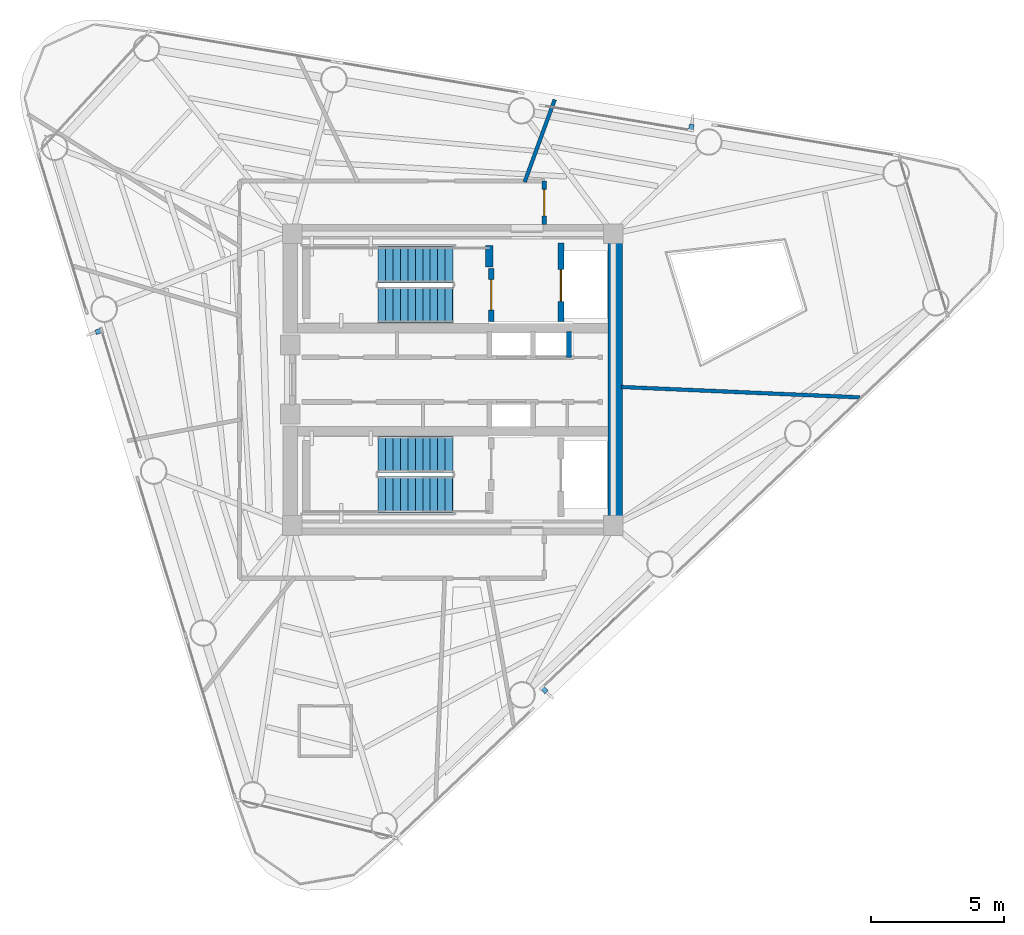
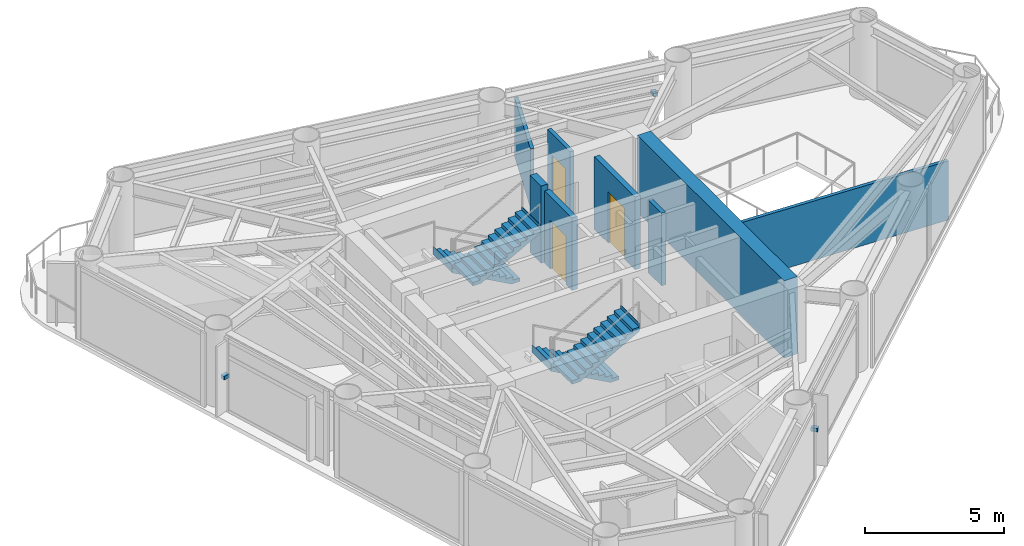
# One storey, part 6 of 9: 8 walls, 4 stair flights, 3 discrete accessories, 3 doors, 3 openings, 2 elements without a shape of their own.
"""IFC4 building model written with IfcOpenShell, lengths in metres."""

import ifcopenshell
import ifcopenshell.guid

model = None  # the IFC model being written
_history = None  # IfcOwnerHistory: only IFC2X3 demands one
_inside = {}  # id of a spatial element -> (the spatial element, [elements in it])
_under = {}  # id of a project, library or spatial element -> (it, [spatial elements below it])
_declared = {}  # id of a project -> (the project, [libraries it declares])
_typed = {}  # id of a type object -> (the type object, [elements of that type])
_made_of = {}  # id of a material, layer set ... -> (it, [elements and type objects made of it])


def new_model(schema):
    """Start an empty IFC model of exactly this schema.

    Asked for "IFC4X3", IfcOpenShell would pick the latest addendum, in which some entities
    have other attributes; the version numbers below select the first issue.
    IFC2X3 requires an IfcOwnerHistory on every rooted entity: one is made here for all.
    """
    global model, _history
    if schema == "IFC4X3":
        model = ifcopenshell.file(schema_version=(4, 3, 0, 0))
    else:
        model = ifcopenshell.file(schema=schema)
    _inside.clear()
    _under.clear()
    _declared.clear()
    _typed.clear()
    _made_of.clear()
    _history = None
    if model.schema == "IFC2X3":
        org = make("IfcOrganization", Name="unknown")
        user = make(
            "IfcPersonAndOrganization",
            ThePerson=make("IfcPerson", FamilyName="unknown"),
            TheOrganization=org,
        )
        app = make(
            "IfcApplication",
            ApplicationDeveloper=org,
            Version="unknown",
            ApplicationFullName="unknown",
            ApplicationIdentifier="unknown",
        )
        _history = make(
            "IfcOwnerHistory",
            OwningUser=user,
            OwningApplication=app,
            ChangeAction="ADDED",
            CreationDate=0,
        )
    return model


def make(cls, **values):
    """One entity of the class cls with the attributes given. An attribute that is None is left unset."""
    return model.create_entity(
        cls, **{name: value for name, value in values.items() if value is not None}
    )


def rooted(cls, **values):
    """An entity with a GlobalId (a new one), such as an element, a storey or a relation."""
    return make(cls, GlobalId=ifcopenshell.guid.new(), OwnerHistory=_history, **values)


def si_unit(unit_type, name, prefix=None):
    """IfcSIUnit, for example si_unit("LENGTHUNIT", "METRE", prefix="MILLI")."""
    return make("IfcSIUnit", UnitType=unit_type, Prefix=prefix, Name=name)


def assignment(units):
    """IfcUnitAssignment: the units of a project."""
    return None if units is None else make("IfcUnitAssignment", Units=units)


def point(xyz):
    """IfcCartesianPoint."""
    return None if xyz is None else make("IfcCartesianPoint", Coordinates=xyz)


def direction(xyz):
    """IfcDirection."""
    return None if xyz is None else make("IfcDirection", DirectionRatios=xyz)


def frame(location, z_axis=None, x_axis=None):
    """IfcAxis2Placement3D, a coordinate frame: its origin and axes. An axis left out is left unset."""
    return make(
        "IfcAxis2Placement3D",
        Location=point(location),
        Axis=direction(z_axis),
        RefDirection=direction(x_axis),
    )


def frame_2d(location, x_axis=None):
    """IfcAxis2Placement2D, a coordinate frame in the plane: its origin and x axis."""
    return make(
        "IfcAxis2Placement2D", Location=point(location), RefDirection=direction(x_axis)
    )


def origin():
    """The frame at (0, 0, 0) with its axes left unset."""
    return frame((0.0, 0.0, 0.0))


def origin_2d():
    """The frame at (0, 0) in the plane with its x axis left unset."""
    return frame_2d((0.0, 0.0))


def place(relative_to, where):
    """IfcLocalPlacement: puts the frame where relative to a parent placement (None: the world)."""
    return make(
        "IfcLocalPlacement", PlacementRelTo=relative_to, RelativePlacement=where
    )


def context(
    kind, dimensions, precision=None, world=None, true_north=None, identifier=None
):
    """IfcGeometricRepresentationContext, for example the 3D "Model" context."""
    return make(
        "IfcGeometricRepresentationContext",
        ContextIdentifier=identifier,
        ContextType=kind,
        CoordinateSpaceDimension=dimensions,
        Precision=precision,
        WorldCoordinateSystem=world,
        TrueNorth=true_north,
    )


def subcontext(parent, identifier, kind, view, scale=None):
    """IfcGeometricRepresentationSubContext, for example "Body" below "Model"."""
    return make(
        "IfcGeometricRepresentationSubContext",
        ContextIdentifier=identifier,
        ContextType=kind,
        ParentContext=parent,
        TargetScale=scale,
        TargetView=view,
    )


def project(units=None, contexts=None):
    """IfcProject with its units and contexts."""
    return rooted(
        "IfcProject",
        Name="project",
        RepresentationContexts=contexts,
        UnitsInContext=assignment(units),
    )


def spatial(cls, under=None, at=None, **own):
    """A site, building, storey or space (cls), placed at a placement, below another one or the project."""
    s = rooted(cls, ObjectPlacement=at, **own)
    if under is not None:
        _under.setdefault(under.id(), (under, []))[1].append(s)
    return s


def polyline(points):
    """IfcPolyline through the points."""
    return make("IfcPolyline", Points=[point(p) for p in points])


def profile(cls, at=None, kind="AREA", **sizes):
    """A parametric profile (cls). Its sizes go by their IFC names, for example OverallWidth=200.0."""
    return make(cls, ProfileType=kind, Position=at, **sizes)


def rectangle(**sizes):
    """IfcRectangleProfileDef."""
    return profile("IfcRectangleProfileDef", **sizes)


def outline(outer, holes=None, kind="AREA"):
    """IfcArbitraryClosedProfileDef: a profile drawn as a closed curve; with holes, ...WithVoids."""
    if holes is None:
        return make("IfcArbitraryClosedProfileDef", ProfileType=kind, OuterCurve=outer)
    return make(
        "IfcArbitraryProfileDefWithVoids",
        ProfileType=kind,
        OuterCurve=outer,
        InnerCurves=holes,
    )


def extrude(swept, where, along, depth):
    """IfcExtrudedAreaSolid: the profile swept, set in the frame where, extruded along a direction by depth."""
    return make(
        "IfcExtrudedAreaSolid",
        SweptArea=swept,
        Position=where,
        ExtrudedDirection=direction(along),
        Depth=depth,
    )


def shape(context_of_items, identifier, shape_type, items):
    """IfcShapeRepresentation: the items that make up one representation, for example the "Body"."""
    return make(
        "IfcShapeRepresentation",
        ContextOfItems=context_of_items,
        RepresentationIdentifier=identifier,
        RepresentationType=shape_type,
        Items=items,
    )


def source(mapping_origin, context_of_items, identifier, shape_type, items):
    """IfcRepresentationMap: a shape defined once, which mapped items show again and again."""
    return make(
        "IfcRepresentationMap",
        MappingOrigin=mapping_origin,
        MappedRepresentation=shape(context_of_items, identifier, shape_type, items),
    )


def transform(
    local_origin,
    x_axis=None,
    y_axis=None,
    z_axis=None,
    scale=None,
    scale2=None,
    scale3=None,
    uniform=True,
):
    """IfcCartesianTransformationOperator3D, or its non-uniform kind. x_axis, y_axis, z_axis: its Axis1, 2, 3."""
    if uniform:
        return make(
            "IfcCartesianTransformationOperator3D",
            Axis1=direction(x_axis),
            Axis2=direction(y_axis),
            LocalOrigin=point(local_origin),
            Scale=scale,
            Axis3=direction(z_axis),
        )
    return make(
        "IfcCartesianTransformationOperator3DnonUniform",
        Axis1=direction(x_axis),
        Axis2=direction(y_axis),
        LocalOrigin=point(local_origin),
        Scale=scale,
        Axis3=direction(z_axis),
        Scale2=scale2,
        Scale3=scale3,
    )


def mapped(mapping_source, mapping_target):
    """IfcMappedItem: shows the shape of a source again, moved by a transform."""
    return make(
        "IfcMappedItem", MappingSource=mapping_source, MappingTarget=mapping_target
    )


def material(Name=None, Category=None):
    """IfcMaterial."""
    return make("IfcMaterial", Name=Name, Category=Category)


def layer(
    of_material, thickness, ventilated=None, Name=None, Category=None, Priority=None
):
    """IfcMaterialLayer: one layer of a wall or slab, of a material (None: an air gap)."""
    return make(
        "IfcMaterialLayer",
        Material=of_material,
        LayerThickness=thickness,
        IsVentilated=ventilated,
        Name=Name,
        Category=Category,
        Priority=Priority,
    )


def layer_set(layers, Name=None):
    """IfcMaterialLayerSet."""
    return make("IfcMaterialLayerSet", MaterialLayers=layers, LayerSetName=Name)


def made_of(thing, what):
    """Note that an element or type object is made of a material, layer set ...; save() writes the relation."""
    if what is not None:
        _made_of.setdefault(what.id(), (what, []))[1].append(thing)
    return thing


def type_object(cls, material=None, **own):
    """A type object (cls), such as IfcWallType, which elements share."""
    return made_of(rooted(cls, **own), material)


def element(
    cls,
    number,
    at=None,
    inside=None,
    cuts=None,
    type_object=None,
    material=None,
    context=None,
    identifier="Body",
    shape_type=None,
    held_by="IfcProductDefinitionShape",
    body=None,
    shapes=None,
    **own,
):
    """One element of the class cls, such as IfcWall. Its Tag is "e" and its number.

    at: its placement. inside: the storey or other place that contains it. cuts: it is an
    opening in that element (IfcRelVoidsElement). A single representation is given by context,
    identifier, shape_type and body (its items); several are given by shapes. held_by: the class
    of the entity that holds the representations. save() writes the other relations.
    """
    e = rooted(cls, Tag="e%d" % number, ObjectPlacement=at, **own)
    if body is not None:
        shapes = [shape(context, identifier, shape_type, body)]
    if shapes is not None:
        e.Representation = make(held_by, Representations=shapes)
    if inside is not None:
        _inside.setdefault(inside.id(), (inside, []))[1].append(e)
    if cuts is not None:
        rooted(
            "IfcRelVoidsElement", RelatingBuildingElement=cuts, RelatedOpeningElement=e
        )
    if type_object is not None:
        _typed.setdefault(type_object.id(), (type_object, []))[1].append(e)
    return made_of(e, material)


def fill(opening, filler):
    """IfcRelFillsElement: the door or window that sits in an opening."""
    return rooted(
        "IfcRelFillsElement",
        RelatingOpeningElement=opening,
        RelatedBuildingElement=filler,
    )


def aggregate(whole, parts):
    """IfcRelAggregates: a whole, such as a stair, and the parts it consists of."""
    return rooted("IfcRelAggregates", RelatingObject=whole, RelatedObjects=parts)


def save(model, path):
    """Write the relations noted so far, then the file.

    IfcRelAggregates (storeys below a building ...), IfcRelContainedInSpatialStructure (elements
    in a storey), IfcRelDefinesByType, IfcRelAssociatesMaterial and IfcRelDeclares: one each for
    every whole, place, type object, material and project.
    """
    for whole, parts in _under.values():
        aggregate(whole, parts)
    for where, things in _inside.values():
        rooted(
            "IfcRelContainedInSpatialStructure",
            RelatedElements=things,
            RelatingStructure=where,
        )
    for kind, things in _typed.values():
        rooted("IfcRelDefinesByType", RelatedObjects=things, RelatingType=kind)
    for what, things in _made_of.values():
        rooted("IfcRelAssociatesMaterial", RelatedObjects=things, RelatingMaterial=what)
    for by, libraries in _declared.values():
        rooted("IfcRelDeclares", RelatingContext=by, RelatedDefinitions=libraries)
    model.write(path)


model = new_model("IFC4")

# Units and contexts
model_context = context("Model", 3, precision=1e-05, world=origin(), true_north=direction((0.0, 1.0)))
body_context = subcontext(model_context, "Body", "Model", "MODEL_VIEW")
ifc_project = project(units=[si_unit("LENGTHUNIT", "METRE"), si_unit("AREAUNIT", "SQUARE_METRE"), si_unit("VOLUMEUNIT", "CUBIC_METRE"), si_unit("PLANEANGLEUNIT", "RADIAN"), si_unit("MASSUNIT", "GRAM", prefix="KILO")], contexts=[model_context])

# Site, building, storey
site_placement = place(None, origin())
site = spatial("IfcSite", under=ifc_project, at=site_placement, CompositionType="ELEMENT")
building_placement = place(site_placement, origin())
building = spatial("IfcBuilding", under=site, at=building_placement, Name="Yunling Apex Tower", CompositionType="ELEMENT")
storey_placement = place(building_placement, frame((0.0, 0.0, 245.64990234375)))
storey = spatial("IfcBuildingStorey", under=building, at=storey_placement, Name="L60", CompositionType="ELEMENT", Elevation=245.64990234375)

# Walls
ifc_material_1 = material(Name="Concrete C40", Category="concrete")
ifc_layer_1 = layer(ifc_material_1, 0.550048828125)
ifc_layer_set_1 = layer_set([ifc_layer_1], Name="Concrete C40")
wall_type_1 = type_object("IfcWallType", Name="WL-COR-3", PredefinedType="SHEAR", material=ifc_layer_set_1)
wall_1_placement = place(storey_placement, frame((6.125, -5.300048828125, 0.0), z_axis=(0.0, 0.0, 1.0), x_axis=(0.0, 1.0, 0.0)))
element("IfcWall", 1, at=wall_1_placement, inside=storey, type_object=wall_type_1, Name="L60 East Core Shear Wall", PredefinedType="SHEAR", context=body_context, shape_type="SweptSolid", body=[
    extrude(rectangle(XDim=10.60009765625, YDim=0.550048828125, at=frame_2d((5.300048828125, 0.0))), origin(), (0.0, 0.0, 1.0), 3.400146484375),
])
ifc_layer_2 = layer(ifc_material_1, 0.280029296875)
ifc_layer_set_2 = layer_set([ifc_layer_2], Name="Concrete C40")
wall_type_2 = type_object("IfcWallType", Name="WL-COR-8", PredefinedType="SHEAR", material=ifc_layer_set_2)
wall_2_placement = place(storey_placement, frame((1.3798828125, 4.25, 0.0), z_axis=(0.0, 0.0, 1.0), x_axis=(0.0, 1.0, 0.0)))
element("IfcWall", 2, at=wall_2_placement, inside=storey, type_object=wall_type_2, Name="L60 ST-1 East Landing Bearing Pier", PredefinedType="SHEAR", context=body_context, shape_type="SweptSolid", body=[
    extrude(rectangle(XDim=0.800048828125, YDim=0.280029296875, at=frame_2d((0.39990234375, 0.0))), origin(), (0.0, 0.0, 1.0), 3.400146484375),
])

# Wall, opening, door
ifc_material_2 = material(Name="Gypsum board acoustic partition")
ifc_layer_3 = layer(ifc_material_2, 0.159912109375)
ifc_layer_set_3 = layer_set([ifc_layer_3], Name="Gypsum board acoustic partition")
wall_type_3 = type_object("IfcWallType", Name="WL-PRT-1", PredefinedType="PARTITIONING", material=ifc_layer_set_3)
wall_3_placement = place(storey_placement, frame((3.449951171875, 7.489990234375, 0.0), z_axis=(0.0, 0.0, 1.0), x_axis=(0.0, -1.0, 0.0)))
wall_3 = element("IfcWall", 3, at=wall_3_placement, inside=storey, type_object=wall_type_3, Name="WL-CORR-L60-04", PredefinedType="PARTITIONING", context=body_context, shape_type="SweptSolid", body=[
    extrude(rectangle(XDim=1.639892578125, YDim=0.159912109375, at=frame_2d((0.81982421875, 0.0))), origin(), (0.0, 0.0, 1.0), 3.2001953125),
])
opening_1_placement = place(wall_3_placement, frame((0.320068359375, 0.0, 0.0)))
opening_1 = element("IfcOpeningElement", 4, at=opening_1_placement, cuts=wall_3, Name="Opening DR-OFF-1", PredefinedType="OPENING", context=body_context, shape_type="SweptSolid", body=[
    extrude(rectangle(XDim=1.0, YDim=2.25, at=frame_2d((0.5, 1.125))), frame((0.0, 0.08984375, 0.0), z_axis=(0.0, -1.0, 0.0), x_axis=(1.0, 0.0, 0.0)), (0.0, 0.0, 1.0), 0.179931640625),
])
ifc_material_3 = material(Name="Bronze anodised aluminium", Category="aluminium")
door_type_1 = type_object("IfcDoorType", Name="DR-OFF-1", OperationType="NOTDEFINED", PredefinedType="DOOR", material=ifc_material_3)
door_1_placement = place(opening_1_placement, origin())
door_1 = element("IfcDoor", 5, at=door_1_placement, inside=storey, type_object=door_type_1, Name="L60 Residents Quiet Study Lounge Door", OperationType="SINGLE_SWING_LEFT", OverallHeight=2.25, OverallWidth=1.0, PredefinedType="DOOR", context=body_context, shape_type="SweptSolid", body=[
    extrude(rectangle(XDim=1.0, YDim=2.25, at=frame_2d((0.5, 1.125))), frame((0.0, 0.02490234375, 0.0), z_axis=(0.0, -1.0, 0.0), x_axis=(1.0, 0.0, 0.0)), (0.0, 0.0, 1.0), 0.050048828125),
])
fill(opening_1, door_1)

# Walls
ifc_layer_4 = layer(ifc_material_2, 0.139892578125)
ifc_layer_set_4 = layer_set([ifc_layer_4], Name="Gypsum board acoustic partition")
wall_type_4 = type_object("IfcWallType", Name="WL-PRT-2", PredefinedType="PARTITIONING", material=ifc_layer_set_4)
wall_4_placement = place(storey_placement, frame((6.360107421875, -0.277587890625, 0.0), z_axis=(0.0, 0.0, 1.0), x_axis=(0.99904773846, -0.043630451279, 0.0)))
element("IfcWall", 6, at=wall_4_placement, inside=storey, type_object=wall_type_4, Name="WL-RAD-L60-01", PredefinedType="PARTITIONING", context=body_context, shape_type="SweptSolid", body=[
    extrude(rectangle(XDim=8.9921875, YDim=0.139892578125, at=frame_2d((4.49609375, 0.0))), origin(), (0.0, 0.0, 1.0), 2.60498046875),
])
wall_5_placement = place(storey_placement, frame((2.711669921875, 7.449951171875, 0.0), z_axis=(0.0, 0.0, 1.0), x_axis=(0.341974588874, 0.9397092, 0.0)))
element("IfcWall", 7, at=wall_5_placement, inside=storey, type_object=wall_type_4, Name="WL-RAD-L60-02", PredefinedType="PARTITIONING", context=body_context, shape_type="SweptSolid", body=[
    extrude(rectangle(XDim=3.3017578125, YDim=0.139892578125, at=frame_2d((1.65087890625, 0.0))), origin(), (0.0, 0.0, 1.0), 2.60498046875),
])

# Wall, opening, door
ifc_material_4 = material(Name="Autoclaved aerated concrete masonry", Category="masonry")
ifc_layer_5 = layer(ifc_material_4, 0.219970703125)
ifc_layer_set_5 = layer_set([ifc_layer_5], Name="Autoclaved aerated concrete masonry")
wall_type_5 = type_object("IfcWallType", Name="WL-SHF-1", PredefinedType="PLUMBINGWALL", material=ifc_layer_set_5)
wall_6_placement = place(storey_placement, frame((1.449951171875, 2.199951171875, 0.0), z_axis=(0.0, 0.0, 1.0), x_axis=(0.0, 1.0, 0.0)))
wall_6 = element("IfcWall", 8, at=wall_6_placement, inside=storey, type_object=wall_type_5, Name="WL-ST1-E-L60", PredefinedType="PLUMBINGWALL", context=body_context, shape_type="SweptSolid", body=[
    extrude(rectangle(XDim=1.97998046875, YDim=0.219970703125, at=frame_2d((0.989990234375, 0.0))), origin(), (0.0, 0.0, 1.0), 3.2001953125),
])
opening_2_placement = place(wall_6_placement, frame((0.419921875, 0.0, 0.0)))
opening_2 = element("IfcOpeningElement", 9, at=opening_2_placement, cuts=wall_6, Name="Opening DR-ST-1", PredefinedType="OPENING", context=body_context, shape_type="SweptSolid", body=[
    extrude(rectangle(XDim=1.14990234375, YDim=2.14990234375, at=frame_2d((0.574951171875, 1.074951171875))), frame((0.0, 0.1201171875, 0.0), z_axis=(0.0, -1.0, 0.0), x_axis=(1.0, 0.0, 0.0)), (0.0, 0.0, 1.0), 0.239990234375),
])
ifc_material_5 = material(Name="Steel Q355B", Category="steel")
door_type_2 = type_object("IfcDoorType", Name="DR-ST-1", OperationType="NOTDEFINED", PredefinedType="DOOR", material=ifc_material_5)
door_2_placement = place(opening_2_placement, origin())
door_2 = element("IfcDoor", 10, at=door_2_placement, inside=storey, type_object=door_type_2, Name="L60 Stair ST-1 Fire Door", OperationType="SINGLE_SWING_LEFT", OverallHeight=2.14990234375, OverallWidth=1.14990234375, PredefinedType="DOOR", context=body_context, shape_type="SweptSolid", body=[
    extrude(rectangle(XDim=1.14990234375, YDim=2.14990234375, at=frame_2d((0.574951171875, 1.074951171875))), frame((0.0, 0.02490234375, 0.0), z_axis=(0.0, -1.0, 0.0), x_axis=(1.0, 0.0, 0.0)), (0.0, 0.0, 1.0), 0.050048828125),
])
fill(opening_2, door_2)

wall_7_placement = place(storey_placement, frame((4.080078125, 2.199951171875, 0.0), z_axis=(0.0, 0.0, 1.0), x_axis=(0.0, 1.0, 0.0)))
wall_7 = element("IfcWall", 11, at=wall_7_placement, inside=storey, type_object=wall_type_5, Name="WL-FFL1-W-L60", PredefinedType="PLUMBINGWALL", context=body_context, shape_type="SweptSolid", body=[
    extrude(rectangle(XDim=2.949951171875, YDim=0.219970703125, at=frame_2d((1.47509765625, 0.0))), origin(), (0.0, 0.0, 1.0), 3.2001953125),
])
opening_3_placement = place(wall_7_placement, frame((0.75, 0.0, 0.0)))
opening_3 = element("IfcOpeningElement", 12, at=opening_3_placement, cuts=wall_7, Name="Opening LD-FFL-1", PredefinedType="OPENING", context=body_context, shape_type="SweptSolid", body=[
    extrude(rectangle(XDim=1.199951171875, YDim=2.25, at=frame_2d((0.60009765625, 1.125))), frame((0.0, 0.1201171875, 0.0), z_axis=(0.0, -1.0, 0.0), x_axis=(1.0, 0.0, 0.0)), (0.0, 0.0, 1.0), 0.239990234375),
])
door_type_3 = type_object("IfcDoorType", Name="LD-FFL-1", OperationType="DOUBLE_DOOR_SLIDING", PredefinedType="DOOR", material=ifc_material_5)
door_3_placement = place(opening_3_placement, origin())
door_3 = element("IfcDoor", 13, at=door_3_placement, inside=storey, type_object=door_type_3, Name="L60 Lift FFL-1 Landing Door", OperationType="DOUBLE_DOOR_SLIDING", OverallHeight=2.25, OverallWidth=1.199951171875, PredefinedType="DOOR", context=body_context, shape_type="SweptSolid", body=[
    extrude(rectangle(XDim=1.199951171875, YDim=2.25, at=frame_2d((0.60009765625, 1.125))), frame((0.0, 0.02490234375, 0.0), z_axis=(0.0, -1.0, 0.0), x_axis=(1.0, 0.0, 0.0)), (0.0, 0.0, 1.0), 0.050048828125),
])
fill(opening_3, door_3)

# Wall
ifc_layer_6 = layer(ifc_material_4, 0.179931640625)
ifc_layer_set_6 = layer_set([ifc_layer_6], Name="Autoclaved aerated concrete masonry")
wall_type_6 = type_object("IfcWallType", Name="WL-SHF-2", PredefinedType="PLUMBINGWALL", material=ifc_layer_set_6)
wall_8_placement = place(storey_placement, frame((4.3798828125, 0.840087890625, 0.0), z_axis=(0.0, 0.0, 1.0), x_axis=(0.0, 1.0, 0.0)))
element("IfcWall", 14, at=wall_8_placement, inside=storey, type_object=wall_type_6, Name="WL-END-H3E-L60", PredefinedType="PLUMBINGWALL", context=body_context, shape_type="SweptSolid", body=[
    extrude(rectangle(XDim=0.97998046875, YDim=0.179931640625, at=frame_2d((0.489990234375, 0.0))), origin(), (0.0, 0.0, 1.0), 3.2001953125),
])

# Stair, stair flights
stair_type = type_object("IfcStairType", Name="ST-TWR-3", PredefinedType="HALF_TURN_STAIR", material=ifc_material_1)
stair_1_placement = place(storey_placement, origin())
stair_1 = element("IfcStair", 15, at=stair_1_placement, inside=storey, type_object=stair_type, Name="L60 North Core Smokeproof Exit Stair ST-1", PredefinedType="HALF_TURN_STAIR")
stair_flight_type = type_object("IfcStairFlightType", Name="SFL-TWR-3", PredefinedType="STRAIGHT", material=ifc_material_1)
stair_flight_1_placement = place(storey_placement, frame((-0.010009765625, 4.330078125, 0.0), z_axis=(0.0, 0.0, 1.0), x_axis=(-1.0, 0.0, 0.0)))
stair_flight_1 = element("IfcStairFlight", 16, at=stair_flight_1_placement, type_object=stair_flight_type, Name="ST-1 flight 1", NumberOfRisers=11, NumberOfTreads=10, PredefinedType="STRAIGHT", RiserHeight=0.154545455, TreadLength=0.28, context=body_context, shape_type="SweptSolid", body=[
    extrude(outline(polyline([(-0.011962890625, 0.0), (-0.011962890625, 0.154541015625), (0.0, 0.154541015625), (0.280029296875, 0.154541015625), (0.280029296875, 0.30908203125), (0.56005859375, 0.30908203125), (0.56005859375, 0.463623046875), (0.840087890625, 0.463623046875), (0.840087890625, 0.6181640625), (1.1201171875, 0.6181640625), (1.1201171875, 0.772705078125), (1.39990234375, 0.772705078125), (1.39990234375, 0.92724609375), (1.679931640625, 0.92724609375), (1.679931640625, 1.081787109375), (1.9599609375, 1.081787109375), (1.9599609375, 1.236328125), (2.239990234375, 1.236328125), (2.239990234375, 1.390869140625), (2.52001953125, 1.390869140625), (2.52001953125, 1.54541015625), (2.800048828125, 1.54541015625), (2.800048828125, 1.699951171875), (2.81201171875, 1.699951171875), (2.81201171875, 1.36279296875), (0.330810546875, 0.0), (-0.011962890625, 0.0)])), frame((0.0, 0.68017578125, 0.0), z_axis=(0.0, -1.0, 0.0), x_axis=(1.0, 0.0, 0.0)), (0.0, 0.0, 1.0), 1.360107421875),
])
stair_flight_2_placement = place(storey_placement, frame((-2.81005859375, 2.820068359375, 1.7001953125), z_axis=(0.0, 0.0, 1.0), x_axis=(1.0, 0.0, 0.0)))
stair_flight_2 = element("IfcStairFlight", 17, at=stair_flight_2_placement, type_object=stair_flight_type, Name="ST-1 flight 2", NumberOfRisers=11, NumberOfTreads=10, PredefinedType="STRAIGHT", RiserHeight=0.154545455, TreadLength=0.28, context=body_context, shape_type="SweptSolid", body=[
    extrude(outline(polyline([(-0.011962890625, 0.0), (-0.011962890625, 0.154541015625), (0.0, 0.154541015625), (0.280029296875, 0.154541015625), (0.280029296875, 0.30908203125), (0.56005859375, 0.30908203125), (0.56005859375, 0.463623046875), (0.840087890625, 0.463623046875), (0.840087890625, 0.6181640625), (1.1201171875, 0.6181640625), (1.1201171875, 0.772705078125), (1.39990234375, 0.772705078125), (1.39990234375, 0.92724609375), (1.679931640625, 0.92724609375), (1.679931640625, 1.081787109375), (1.9599609375, 1.081787109375), (1.9599609375, 1.236328125), (2.239990234375, 1.236328125), (2.239990234375, 1.390869140625), (2.52001953125, 1.390869140625), (2.52001953125, 1.54541015625), (2.800048828125, 1.54541015625), (2.800048828125, 1.699951171875), (2.81201171875, 1.699951171875), (2.81201171875, 1.36279296875), (0.330810546875, 0.0), (-0.011962890625, 0.0)])), frame((0.0, 0.68017578125, 0.0), z_axis=(0.0, -1.0, 0.0), x_axis=(1.0, 0.0, 0.0)), (0.0, 0.0, 1.0), 1.360107421875),
])
aggregate(stair_1, [stair_flight_1, stair_flight_2])

stair_2_placement = place(storey_placement, origin())
stair_2 = element("IfcStair", 18, at=stair_2_placement, inside=storey, type_object=stair_type, Name="L60 South Core Smokeproof Exit Stair ST-2", PredefinedType="HALF_TURN_STAIR")
stair_flight_3_placement = place(storey_placement, frame((-0.010009765625, -2.820068359375, 0.0), z_axis=(0.0, 0.0, 1.0), x_axis=(-1.0, 0.0, 0.0)))
stair_flight_3 = element("IfcStairFlight", 19, at=stair_flight_3_placement, type_object=stair_flight_type, Name="ST-2 flight 1", NumberOfRisers=11, NumberOfTreads=10, PredefinedType="STRAIGHT", RiserHeight=0.154545455, TreadLength=0.28, context=body_context, shape_type="SweptSolid", body=[
    extrude(outline(polyline([(-0.011962890625, 0.0), (-0.011962890625, 0.154541015625), (0.0, 0.154541015625), (0.280029296875, 0.154541015625), (0.280029296875, 0.30908203125), (0.56005859375, 0.30908203125), (0.56005859375, 0.463623046875), (0.840087890625, 0.463623046875), (0.840087890625, 0.6181640625), (1.1201171875, 0.6181640625), (1.1201171875, 0.772705078125), (1.39990234375, 0.772705078125), (1.39990234375, 0.92724609375), (1.679931640625, 0.92724609375), (1.679931640625, 1.081787109375), (1.9599609375, 1.081787109375), (1.9599609375, 1.236328125), (2.239990234375, 1.236328125), (2.239990234375, 1.390869140625), (2.52001953125, 1.390869140625), (2.52001953125, 1.54541015625), (2.800048828125, 1.54541015625), (2.800048828125, 1.699951171875), (2.81201171875, 1.699951171875), (2.81201171875, 1.36279296875), (0.330810546875, 0.0), (-0.011962890625, 0.0)])), frame((0.0, 0.68017578125, 0.0), z_axis=(0.0, -1.0, 0.0), x_axis=(1.0, 0.0, 0.0)), (0.0, 0.0, 1.0), 1.360107421875),
])
stair_flight_4_placement = place(storey_placement, frame((-2.81005859375, -4.330078125, 1.7001953125), z_axis=(0.0, 0.0, 1.0), x_axis=(1.0, 0.0, 0.0)))
stair_flight_4 = element("IfcStairFlight", 20, at=stair_flight_4_placement, type_object=stair_flight_type, Name="ST-2 flight 2", NumberOfRisers=11, NumberOfTreads=10, PredefinedType="STRAIGHT", RiserHeight=0.154545455, TreadLength=0.28, context=body_context, shape_type="SweptSolid", body=[
    extrude(outline(polyline([(-0.011962890625, 0.0), (-0.011962890625, 0.154541015625), (0.0, 0.154541015625), (0.280029296875, 0.154541015625), (0.280029296875, 0.30908203125), (0.56005859375, 0.30908203125), (0.56005859375, 0.463623046875), (0.840087890625, 0.463623046875), (0.840087890625, 0.6181640625), (1.1201171875, 0.6181640625), (1.1201171875, 0.772705078125), (1.39990234375, 0.772705078125), (1.39990234375, 0.92724609375), (1.679931640625, 0.92724609375), (1.679931640625, 1.081787109375), (1.9599609375, 1.081787109375), (1.9599609375, 1.236328125), (2.239990234375, 1.236328125), (2.239990234375, 1.390869140625), (2.52001953125, 1.390869140625), (2.52001953125, 1.54541015625), (2.800048828125, 1.54541015625), (2.800048828125, 1.699951171875), (2.81201171875, 1.699951171875), (2.81201171875, 1.36279296875), (0.330810546875, 0.0), (-0.011962890625, 0.0)])), frame((0.0, 0.68017578125, 0.0), z_axis=(0.0, -1.0, 0.0), x_axis=(1.0, 0.0, 0.0)), (0.0, 0.0, 1.0), 1.360107421875),
])
aggregate(stair_2, [stair_flight_3, stair_flight_4])

# Discrete accessories
discrete_accessory_type = type_object("IfcDiscreteAccessoryType", Name="BK-FIN-1", PredefinedType="BRACKET", material=ifc_material_5)
shared_shape = source(origin(), body_context, "Body", "SweptSolid", [
    extrude(rectangle(XDim=0.179931640625, YDim=0.260009765625, at=origin_2d()), origin(), (0.0, 0.0, 1.0), 0.159912109375),
])
for number, where, z_axis, x_axis, name in (
    (21, (3.443603515625, -11.68505859375, 1.5302734375), (0.0, 0.0, 1.0), (0.725854756355, 0.687848001144, 0.0), "CW-L60-F1-B2-BRK-01-1"),
    (22, (8.989013671875, 9.502197265625, 1.5302734375), (0.0, 0.0, 1.0), (-0.986400586142, 0.164359008451, 0.0), "CW-L60-F2-B2-BRK-01-1"),
    (23, (-13.33642578125, 1.822265625, 1.5302734375), (0.0, 0.0, 1.0), (0.292371704723, -0.956304755963, 0.0), "CW-L60-F3-B2-BRK-01-1"),
):
    element("IfcDiscreteAccessory", number, at=place(storey_placement, frame(where, z_axis=z_axis, x_axis=x_axis)), inside=storey, type_object=discrete_accessory_type, Name=name, PredefinedType="BRACKET", context=body_context, shape_type="MappedRepresentation", body=[
        mapped(shared_shape, transform((0.0, 0.0, 0.0), scale=1.0)),
    ])

save(model, "model.ifc")
